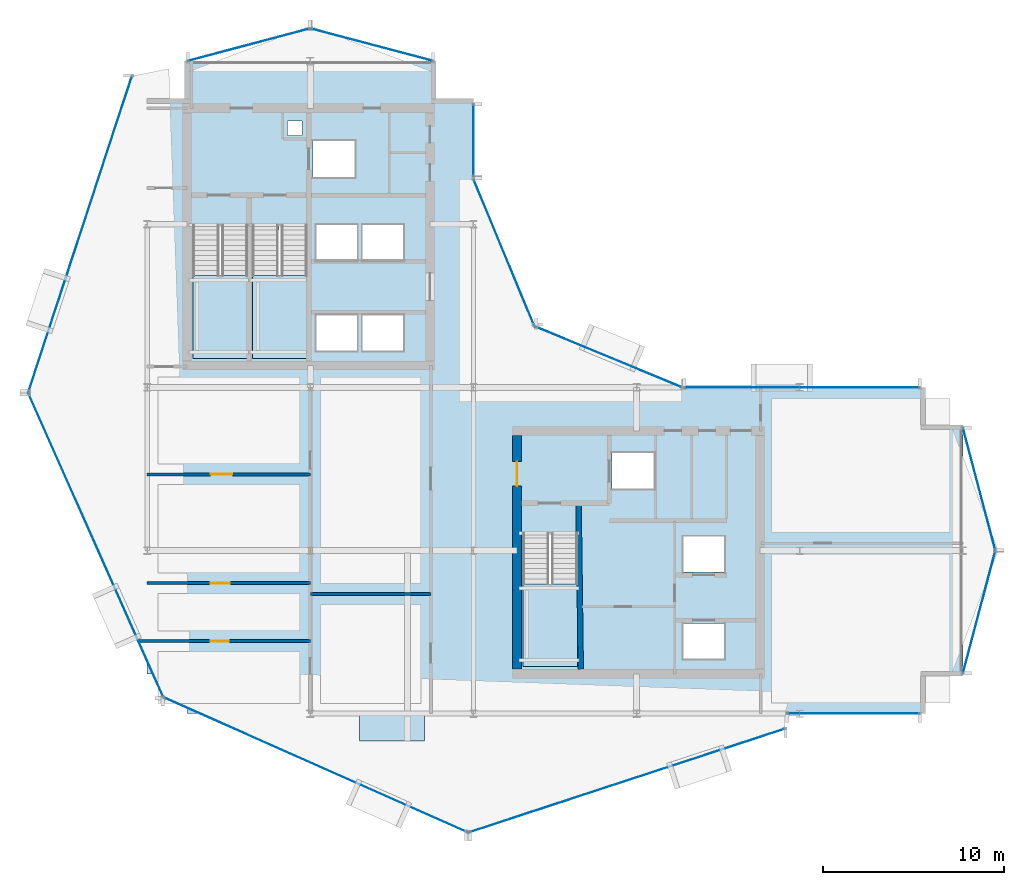
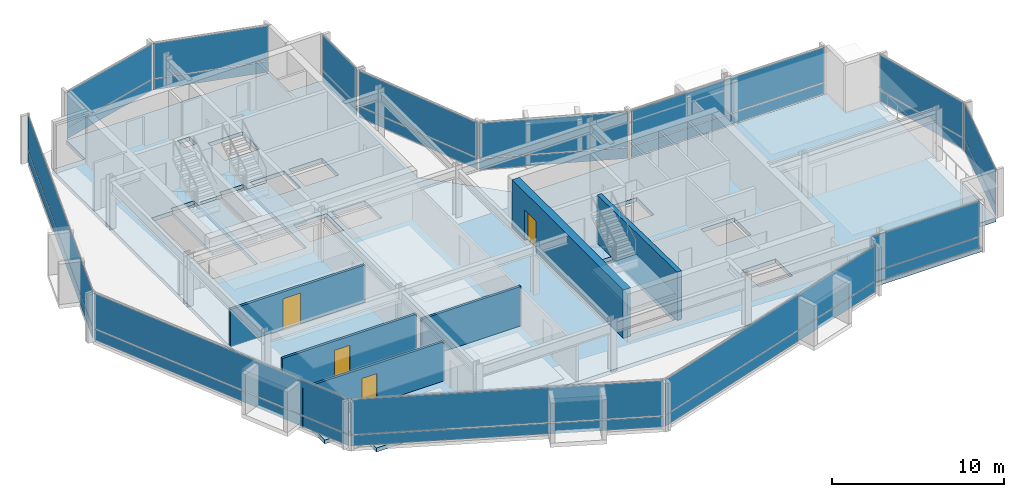
# One storey, part 19 of 27: 26 plates, 6 walls, 5 slabs, 4 doors, 4 openings, 16 elements without a shape of their own.
"""IFC4 building model written with IfcOpenShell, lengths in metres."""

from ifc_helpers import new_model, si_unit, direction, frame, frame_2d, origin, origin_2d, place, context, subcontext, project, spatial, polyline, rectangle, outline, extrude, material, layer, layer_set, type_object, element, fill, aggregate, save


model = new_model("IFC4")

# Units and contexts
model_context = context("Model", 3, precision=1e-05, world=origin(), true_north=direction((0.0, 1.0)))
body_context = subcontext(model_context, "Body", "Model", "MODEL_VIEW")
ifc_project = project(units=[si_unit("LENGTHUNIT", "METRE"), si_unit("AREAUNIT", "SQUARE_METRE"), si_unit("VOLUMEUNIT", "CUBIC_METRE"), si_unit("PLANEANGLEUNIT", "RADIAN"), si_unit("MASSUNIT", "GRAM", prefix="KILO")], contexts=[model_context])

# Site, building, storey
site_placement = place(None, origin())
site = spatial("IfcSite", under=ifc_project, at=site_placement, CompositionType="ELEMENT")
building_placement = place(site_placement, origin())
building = spatial("IfcBuilding", under=site, at=building_placement, Name="Solvaryn Broadcast Tower", CompositionType="ELEMENT")
storey_placement = place(building_placement, frame((0.0, 0.0, 185.300048828125)))
storey = spatial("IfcBuildingStorey", under=building, at=storey_placement, Name="L46", CompositionType="ELEMENT", Elevation=185.300048828125)

# Curtain wall, plates
ifc_material_1 = material(Name="Aluminium and Terracotta Unitised Curtain Wall", Category="masonry")
ifc_layer_1 = layer(ifc_material_1, 0.199951171875)
ifc_layer_set_1 = layer_set([ifc_layer_1], Name="CW-SYS2-LOWMID")
curtain_wall_type_1 = type_object("IfcCurtainWallType", Name="CW-SYS2-LOWMID", PredefinedType="NOTDEFINED", material=ifc_layer_set_1)
curtain_wall_1_placement = place(storey_placement, origin())
curtain_wall_1 = element("IfcCurtainWall", 1, at=curtain_wall_1_placement, inside=storey, type_object=curtain_wall_type_1, Name="L46 Curtain Wall DR1", PredefinedType="NOTDEFINED")
ifc_material_2 = material(Name="Kiln-Fired Architectural Terracotta Spandrel", Category="masonry")
ifc_layer_2 = layer(ifc_material_2, 0.048095703125)
ifc_layer_set_2 = layer_set([ifc_layer_2], Name="CW-PNL-TERRACOTTA")
plate_type = type_object("IfcPlateType", Name="CW-PNL-TERRACOTTA", PredefinedType="CURTAIN_PANEL", material=ifc_layer_set_2)
plate_1_placement = place(storey_placement, frame((5.298095703125, 35.444091796875, 0.06005859375), z_axis=(0.0, 0.0, 1.0), x_axis=(-0.311558717623, -0.950226902099, 0.0)))
plate_1 = element("IfcPlate", 2, at=plate_1_placement, type_object=plate_type, Name="CWS2 panel 1.1", PredefinedType="CURTAIN_PANEL", context=body_context, shape_type="SweptSolid", body=[
    extrude(rectangle(XDim=18.271484375, YDim=0.028076171875, at=origin_2d()), origin(), (0.0, 0.0, 1.0), 0.760009765625),
])
plate_2_placement = place(storey_placement, frame((5.298095703125, 35.444091796875, 0.8798828125), z_axis=(0.0, 0.0, 1.0), x_axis=(-0.311558717623, -0.950226902099, 0.0)))
plate_2 = element("IfcPlate", 3, at=plate_2_placement, type_object=plate_type, Name="CWS2 panel 1.2", PredefinedType="CURTAIN_PANEL", context=body_context, shape_type="SweptSolid", body=[
    extrude(rectangle(XDim=18.271484375, YDim=0.028076171875, at=origin_2d()), origin(), (0.0, 0.0, 1.0), 2.47998046875),
])
aggregate(curtain_wall_1, [plate_1, plate_2])

ifc_material_3 = material(Name="Aluminium and Terracotta Unitised Curtain Wall", Category="masonry")
ifc_layer_3 = layer(ifc_material_3, 0.239990234375)
ifc_layer_set_3 = layer_set([ifc_layer_3], Name="CW-SYS3-BAYBOX")
curtain_wall_type_2 = type_object("IfcCurtainWallType", Name="CW-SYS3-BAYBOX", PredefinedType="NOTDEFINED", material=ifc_layer_set_3)
curtain_wall_2_placement = place(storey_placement, origin())
curtain_wall_2 = element("IfcCurtainWall", 4, at=curtain_wall_2_placement, inside=storey, type_object=curtain_wall_type_2, Name="L46 Curtain Wall DR2", PredefinedType="NOTDEFINED")
plate_3_placement = place(storey_placement, frame((6.16552734375, 18.302001953125, 0.06005859375), z_axis=(0.0, 0.0, 1.0), x_axis=(0.405901337237, -0.913916902365, 0.0)))
plate_3 = element("IfcPlate", 5, at=plate_3_placement, type_object=plate_type, Name="CWS3 panel 1.1", PredefinedType="CURTAIN_PANEL", context=body_context, shape_type="SweptSolid", body=[
    extrude(rectangle(XDim=18.271240234375, YDim=0.028076171875, at=origin_2d()), origin(), (0.0, 0.0, 1.0), 0.760009765625),
])
plate_4_placement = place(storey_placement, frame((6.16552734375, 18.302001953125, 0.8798828125), z_axis=(0.0, 0.0, 1.0), x_axis=(0.405901337237, -0.913916902365, 0.0)))
plate_4 = element("IfcPlate", 6, at=plate_4_placement, type_object=plate_type, Name="CWS3 panel 1.2", PredefinedType="CURTAIN_PANEL", context=body_context, shape_type="SweptSolid", body=[
    extrude(rectangle(XDim=18.271240234375, YDim=0.028076171875, at=origin_2d()), origin(), (0.0, 0.0, 1.0), 2.47998046875),
])
aggregate(curtain_wall_2, [plate_3, plate_4])

curtain_wall_3_placement = place(storey_placement, origin())
curtain_wall_3 = element("IfcCurtainWall", 7, at=curtain_wall_3_placement, inside=storey, type_object=curtain_wall_type_1, Name="L46 Curtain Wall DR3", PredefinedType="NOTDEFINED")
plate_5_placement = place(storey_placement, frame((18.302001953125, 6.16552734375, 0.06005859375), z_axis=(0.0, 0.0, 1.0), x_axis=(0.913916902365, -0.405901337237, 0.0)))
plate_5 = element("IfcPlate", 8, at=plate_5_placement, type_object=plate_type, Name="CWS2 panel 1.1", PredefinedType="CURTAIN_PANEL", context=body_context, shape_type="SweptSolid", body=[
    extrude(rectangle(XDim=18.271240234375, YDim=0.028076171875, at=origin_2d()), origin(), (0.0, 0.0, 1.0), 0.760009765625),
])
plate_6_placement = place(storey_placement, frame((18.302001953125, 6.16552734375, 0.8798828125), z_axis=(0.0, 0.0, 1.0), x_axis=(0.913916902365, -0.405901337237, 0.0)))
plate_6 = element("IfcPlate", 9, at=plate_6_placement, type_object=plate_type, Name="CWS2 panel 1.2", PredefinedType="CURTAIN_PANEL", context=body_context, shape_type="SweptSolid", body=[
    extrude(rectangle(XDim=18.271240234375, YDim=0.028076171875, at=origin_2d()), origin(), (0.0, 0.0, 1.0), 2.47998046875),
])
aggregate(curtain_wall_3, [plate_5, plate_6])

curtain_wall_4_placement = place(storey_placement, origin())
curtain_wall_4 = element("IfcCurtainWall", 10, at=curtain_wall_4_placement, inside=storey, type_object=curtain_wall_type_1, Name="L46 Curtain Wall DR4", PredefinedType="NOTDEFINED")
plate_7_placement = place(storey_placement, frame((35.444091796875, 5.298095703125, 0.06005859375), z_axis=(0.0, 0.0, 1.0), x_axis=(0.950226902099, 0.311558717623, 0.0)))
plate_7 = element("IfcPlate", 11, at=plate_7_placement, type_object=plate_type, Name="CWS2 panel 1.1", PredefinedType="CURTAIN_PANEL", context=body_context, shape_type="SweptSolid", body=[
    extrude(rectangle(XDim=18.271484375, YDim=0.028076171875, at=origin_2d()), origin(), (0.0, 0.0, 1.0), 0.760009765625),
])
plate_8_placement = place(storey_placement, frame((35.444091796875, 5.298095703125, 0.8798828125), z_axis=(0.0, 0.0, 1.0), x_axis=(0.950226902099, 0.311558717623, 0.0)))
plate_8 = element("IfcPlate", 12, at=plate_8_placement, type_object=plate_type, Name="CWS2 panel 1.2", PredefinedType="CURTAIN_PANEL", context=body_context, shape_type="SweptSolid", body=[
    extrude(rectangle(XDim=18.271484375, YDim=0.028076171875, at=origin_2d()), origin(), (0.0, 0.0, 1.0), 2.47998046875),
])
aggregate(curtain_wall_4, [plate_7, plate_8])

curtain_wall_5_placement = place(storey_placement, origin())
curtain_wall_5 = element("IfcCurtainWall", 13, at=curtain_wall_5_placement, inside=storey, type_object=curtain_wall_type_1, Name="L46 Curtain Wall IV", PredefinedType="NOTDEFINED")
plate_9_placement = place(storey_placement, frame((27.0, 40.625, 0.06005859375), z_axis=(0.0, 0.0, 1.0), x_axis=(0.0, -1.0, 0.0)))
plate_9 = element("IfcPlate", 14, at=plate_9_placement, type_object=plate_type, Name="CWS2 panel 1.1", PredefinedType="CURTAIN_PANEL", context=body_context, shape_type="SweptSolid", body=[
    extrude(rectangle(XDim=3.929931640625, YDim=0.028076171875, at=origin_2d()), origin(), (0.0, 0.0, 1.0), 0.760009765625),
])
plate_10_placement = place(storey_placement, frame((27.0, 40.625, 0.8798828125), z_axis=(0.0, 0.0, 1.0), x_axis=(0.0, -1.0, 0.0)))
plate_10 = element("IfcPlate", 15, at=plate_10_placement, type_object=plate_type, Name="CWS2 panel 1.2", PredefinedType="CURTAIN_PANEL", context=body_context, shape_type="SweptSolid", body=[
    extrude(rectangle(XDim=3.929931640625, YDim=0.028076171875, at=origin_2d()), origin(), (0.0, 0.0, 1.0), 2.47998046875),
])
aggregate(curtain_wall_5, [plate_9, plate_10])

curtain_wall_6_placement = place(storey_placement, origin())
curtain_wall_6 = element("IfcCurtainWall", 16, at=curtain_wall_6_placement, inside=storey, type_object=curtain_wall_type_1, Name="L46 Curtain Wall CN1", PredefinedType="NOTDEFINED")
plate_11_placement = place(storey_placement, frame((34.43408203125, 28.68408203125, 0.06005859375), z_axis=(0.0, 0.0, 1.0), x_axis=(-0.923894983957, 0.382646127145, 0.0)))
plate_11 = element("IfcPlate", 17, at=plate_11_placement, type_object=plate_type, Name="CWS2 panel 1.1", PredefinedType="CURTAIN_PANEL", context=body_context, shape_type="SweptSolid", body=[
    extrude(rectangle(XDim=8.681884765625, YDim=0.028076171875, at=origin_2d()), origin(), (0.0, 0.0, 1.0), 0.760009765625),
])
plate_12_placement = place(storey_placement, frame((34.43408203125, 28.68408203125, 0.8798828125), z_axis=(0.0, 0.0, 1.0), x_axis=(-0.923894983957, 0.382646127145, 0.0)))
plate_12 = element("IfcPlate", 18, at=plate_12_placement, type_object=plate_type, Name="CWS2 panel 1.2", PredefinedType="CURTAIN_PANEL", context=body_context, shape_type="SweptSolid", body=[
    extrude(rectangle(XDim=8.681884765625, YDim=0.028076171875, at=origin_2d()), origin(), (0.0, 0.0, 1.0), 2.47998046875),
])
aggregate(curtain_wall_6, [plate_11, plate_12])

curtain_wall_7_placement = place(storey_placement, origin())
curtain_wall_7 = element("IfcCurtainWall", 19, at=curtain_wall_7_placement, inside=storey, type_object=curtain_wall_type_1, Name="L46 Curtain Wall CN2", PredefinedType="NOTDEFINED")
plate_13_placement = place(storey_placement, frame((28.68408203125, 34.43408203125, 0.06005859375), z_axis=(0.0, 0.0, 1.0), x_axis=(-0.382646127145, 0.923894983957, 0.0)))
plate_13 = element("IfcPlate", 20, at=plate_13_placement, type_object=plate_type, Name="CWS2 panel 1.1", PredefinedType="CURTAIN_PANEL", context=body_context, shape_type="SweptSolid", body=[
    extrude(rectangle(XDim=8.681884765625, YDim=0.028076171875, at=origin_2d()), origin(), (0.0, 0.0, 1.0), 0.760009765625),
])
plate_14_placement = place(storey_placement, frame((28.68408203125, 34.43408203125, 0.8798828125), z_axis=(0.0, 0.0, 1.0), x_axis=(-0.382646127145, 0.923894983957, 0.0)))
plate_14 = element("IfcPlate", 21, at=plate_14_placement, type_object=plate_type, Name="CWS2 panel 1.2", PredefinedType="CURTAIN_PANEL", context=body_context, shape_type="SweptSolid", body=[
    extrude(rectangle(XDim=8.681884765625, YDim=0.028076171875, at=origin_2d()), origin(), (0.0, 0.0, 1.0), 2.47998046875),
])
aggregate(curtain_wall_7, [plate_13, plate_14])

curtain_wall_8_placement = place(storey_placement, origin())
curtain_wall_8 = element("IfcCurtainWall", 22, at=curtain_wall_8_placement, inside=storey, type_object=curtain_wall_type_1, Name="L46 Curtain Wall S2", PredefinedType="NOTDEFINED")
plate_15_placement = place(storey_placement, frame((47.966064453125, 9.0, 0.06005859375), z_axis=(0.0, 0.0, 1.0), x_axis=(1.0, 0.0, 0.0)))
plate_15 = element("IfcPlate", 23, at=plate_15_placement, type_object=plate_type, Name="CWS2 panel 1.1", PredefinedType="CURTAIN_PANEL", context=body_context, shape_type="SweptSolid", body=[
    extrude(rectangle(XDim=7.248046875, YDim=0.028076171875, at=origin_2d()), origin(), (0.0, 0.0, 1.0), 0.760009765625),
])
plate_16_placement = place(storey_placement, frame((47.966064453125, 9.0, 0.8798828125), z_axis=(0.0, 0.0, 1.0), x_axis=(1.0, 0.0, 0.0)))
plate_16 = element("IfcPlate", 24, at=plate_16_placement, type_object=plate_type, Name="CWS2 panel 1.2", PredefinedType="CURTAIN_PANEL", context=body_context, shape_type="SweptSolid", body=[
    extrude(rectangle(XDim=7.248046875, YDim=0.028076171875, at=origin_2d()), origin(), (0.0, 0.0, 1.0), 2.47998046875),
])
aggregate(curtain_wall_8, [plate_15, plate_16])

curtain_wall_9_placement = place(storey_placement, origin())
curtain_wall_9 = element("IfcCurtainWall", 25, at=curtain_wall_9_placement, inside=storey, type_object=curtain_wall_type_1, Name="L46 Curtain Wall NT1", PredefinedType="NOTDEFINED")
plate_17_placement = place(storey_placement, frame((21.39990234375, 45.89990234375, 0.06005859375), z_axis=(0.0, 0.0, 1.0), x_axis=(-0.966705227863, 0.25589256031, 0.0)))
plate_17 = element("IfcPlate", 26, at=plate_17_placement, type_object=plate_type, Name="CWS2 panel 1.1", PredefinedType="CURTAIN_PANEL", context=body_context, shape_type="SweptSolid", body=[
    extrude(rectangle(XDim=6.914306640625, YDim=0.028076171875, at=origin_2d()), origin(), (0.0, 0.0, 1.0), 0.760009765625),
])
plate_18_placement = place(storey_placement, frame((21.39990234375, 45.89990234375, 0.8798828125), z_axis=(0.0, 0.0, 1.0), x_axis=(-0.966705227863, 0.25589256031, 0.0)))
plate_18 = element("IfcPlate", 27, at=plate_18_placement, type_object=plate_type, Name="CWS2 panel 1.2", PredefinedType="CURTAIN_PANEL", context=body_context, shape_type="SweptSolid", body=[
    extrude(rectangle(XDim=6.914306640625, YDim=0.028076171875, at=origin_2d()), origin(), (0.0, 0.0, 1.0), 2.47998046875),
])
aggregate(curtain_wall_9, [plate_17, plate_18])

curtain_wall_10_placement = place(storey_placement, origin())
curtain_wall_10 = element("IfcCurtainWall", 28, at=curtain_wall_10_placement, inside=storey, type_object=curtain_wall_type_1, Name="L46 Curtain Wall NT2", PredefinedType="NOTDEFINED")
plate_19_placement = place(storey_placement, frame((14.60009765625, 45.89990234375, 0.06005859375), z_axis=(0.0, 0.0, 1.0), x_axis=(-0.966705227863, -0.25589256031, 0.0)))
plate_19 = element("IfcPlate", 29, at=plate_19_placement, type_object=plate_type, Name="CWS2 panel 1.1", PredefinedType="CURTAIN_PANEL", context=body_context, shape_type="SweptSolid", body=[
    extrude(rectangle(XDim=6.914306640625, YDim=0.028076171875, at=origin_2d()), origin(), (0.0, 0.0, 1.0), 0.760009765625),
])
plate_20_placement = place(storey_placement, frame((14.60009765625, 45.89990234375, 0.8798828125), z_axis=(0.0, 0.0, 1.0), x_axis=(-0.966705227863, -0.25589256031, 0.0)))
plate_20 = element("IfcPlate", 30, at=plate_20_placement, type_object=plate_type, Name="CWS2 panel 1.2", PredefinedType="CURTAIN_PANEL", context=body_context, shape_type="SweptSolid", body=[
    extrude(rectangle(XDim=6.914306640625, YDim=0.028076171875, at=origin_2d()), origin(), (0.0, 0.0, 1.0), 2.47998046875),
])
aggregate(curtain_wall_10, [plate_19, plate_20])

curtain_wall_11_placement = place(storey_placement, origin())
curtain_wall_11 = element("IfcCurtainWall", 31, at=curtain_wall_11_placement, inside=storey, type_object=curtain_wall_type_1, Name="L46 Curtain Wall ET1", PredefinedType="NOTDEFINED")
plate_21_placement = place(storey_placement, frame((54.89990234375, 21.39990234375, 0.06005859375), z_axis=(0.0, 0.0, 1.0), x_axis=(0.25589256031, -0.966705227863, 0.0)))
plate_21 = element("IfcPlate", 32, at=plate_21_placement, type_object=plate_type, Name="CWS2 panel 1.1", PredefinedType="CURTAIN_PANEL", context=body_context, shape_type="SweptSolid", body=[
    extrude(rectangle(XDim=6.914306640625, YDim=0.028076171875, at=origin_2d()), origin(), (0.0, 0.0, 1.0), 0.760009765625),
])
plate_22_placement = place(storey_placement, frame((54.89990234375, 21.39990234375, 0.8798828125), z_axis=(0.0, 0.0, 1.0), x_axis=(0.25589256031, -0.966705227863, 0.0)))
plate_22 = element("IfcPlate", 33, at=plate_22_placement, type_object=plate_type, Name="CWS2 panel 1.2", PredefinedType="CURTAIN_PANEL", context=body_context, shape_type="SweptSolid", body=[
    extrude(rectangle(XDim=6.914306640625, YDim=0.028076171875, at=origin_2d()), origin(), (0.0, 0.0, 1.0), 2.47998046875),
])
aggregate(curtain_wall_11, [plate_21, plate_22])

curtain_wall_12_placement = place(storey_placement, origin())
curtain_wall_12 = element("IfcCurtainWall", 34, at=curtain_wall_12_placement, inside=storey, type_object=curtain_wall_type_1, Name="L46 Curtain Wall ET2", PredefinedType="NOTDEFINED")
plate_23_placement = place(storey_placement, frame((54.89990234375, 14.60009765625, 0.06005859375), z_axis=(0.0, 0.0, 1.0), x_axis=(-0.25589256031, -0.966705227863, 0.0)))
plate_23 = element("IfcPlate", 35, at=plate_23_placement, type_object=plate_type, Name="CWS2 panel 1.1", PredefinedType="CURTAIN_PANEL", context=body_context, shape_type="SweptSolid", body=[
    extrude(rectangle(XDim=6.914306640625, YDim=0.028076171875, at=origin_2d()), origin(), (0.0, 0.0, 1.0), 0.760009765625),
])
plate_24_placement = place(storey_placement, frame((54.89990234375, 14.60009765625, 0.8798828125), z_axis=(0.0, 0.0, 1.0), x_axis=(-0.25589256031, -0.966705227863, 0.0)))
plate_24 = element("IfcPlate", 36, at=plate_24_placement, type_object=plate_type, Name="CWS2 panel 1.2", PredefinedType="CURTAIN_PANEL", context=body_context, shape_type="SweptSolid", body=[
    extrude(rectangle(XDim=6.914306640625, YDim=0.028076171875, at=origin_2d()), origin(), (0.0, 0.0, 1.0), 2.47998046875),
])
aggregate(curtain_wall_12, [plate_23, plate_24])

curtain_wall_13_placement = place(storey_placement, origin())
curtain_wall_13 = element("IfcCurtainWall", 37, at=curtain_wall_13_placement, inside=storey, type_object=curtain_wall_type_1, Name="L46 Curtain Wall IH", PredefinedType="NOTDEFINED")
plate_25_placement = place(storey_placement, frame((45.125, 27.0, 0.06005859375), z_axis=(0.0, 0.0, 1.0), x_axis=(1.0, 0.0, 0.0)))
plate_25 = element("IfcPlate", 38, at=plate_25_placement, type_object=plate_type, Name="CWS2 panel 1.1", PredefinedType="CURTAIN_PANEL", context=body_context, shape_type="SweptSolid", body=[
    extrude(rectangle(XDim=12.929931640625, YDim=0.028076171875, at=origin_2d()), origin(), (0.0, 0.0, 1.0), 0.760009765625),
])
plate_26_placement = place(storey_placement, frame((45.125, 27.0, 0.8798828125), z_axis=(0.0, 0.0, 1.0), x_axis=(1.0, 0.0, 0.0)))
plate_26 = element("IfcPlate", 39, at=plate_26_placement, type_object=plate_type, Name="CWS2 panel 1.2", PredefinedType="CURTAIN_PANEL", context=body_context, shape_type="SweptSolid", body=[
    extrude(rectangle(XDim=12.929931640625, YDim=0.028076171875, at=origin_2d()), origin(), (0.0, 0.0, 1.0), 2.47998046875),
])
aggregate(curtain_wall_13, [plate_25, plate_26])

# Slab
ifc_material_4 = material(Name="Concrete f'c 60 MPa", Category="concrete")
ifc_layer_4 = layer(ifc_material_4, 0.2099609375)
ifc_layer_set_4 = layer_set([ifc_layer_4], Name="SL-BAYBOX-210")
slab_type_1 = type_object("IfcSlabType", Name="SL-BAYBOX-210", PredefinedType="FLOOR", material=ifc_layer_set_4)
slab_1_placement = place(storey_placement, frame((0.0, 0.0, -0.2099609375)))
element("IfcSlab", 40, at=slab_1_placement, inside=storey, type_object=slab_type_1, Name="L46 Projecting Bay-Box Slab 1", PredefinedType="FLOOR", context=body_context, shape_type="SweptSolid", body=[
    extrude(outline(polyline([(20.699951171875, 7.5), (24.300048828125, 7.5), (24.300048828125, 9.0), (20.699951171875, 9.0), (20.699951171875, 7.5)])), origin(), (0.0, 0.0, 1.0), 0.2099609375),
])

# Stair, slab
ifc_material_5 = material(Name="Concrete f'c 60 MPa", Category="concrete")
stair_type = type_object("IfcStairType", Name="ST-CORE", PredefinedType="HALF_TURN_STAIR", material=ifc_material_5)
stair_1_placement = place(storey_placement, origin())
stair_1 = element("IfcStair", 41, at=stair_1_placement, inside=storey, type_object=stair_type, Name="L46 ST1", PredefinedType="HALF_TURN_STAIR")
ifc_material_6 = material(Name="Concrete f'c 60 MPa", Category="concrete")
ifc_layer_5 = layer(ifc_material_6, 0.199951171875)
ifc_layer_set_5 = layer_set([ifc_layer_5], Name="SL-LANDING-200")
slab_type_2 = type_object("IfcSlabType", Name="SL-LANDING-200", PredefinedType="LANDING", material=ifc_layer_set_5)
slab_2_placement = place(storey_placement, frame((0.0, 0.0, 1.64990234375)))
slab_2 = element("IfcSlab", 42, at=slab_2_placement, type_object=slab_type_2, Name="ST1 landing 1", PredefinedType="LANDING", context=body_context, shape_type="SweptSolid", body=[
    extrude(outline(polyline([(11.52001953125, 33.159912109375), (11.52001953125, 28.60009765625), (14.550048828125, 28.60009765625), (14.550048828125, 33.159912109375), (11.52001953125, 33.159912109375)])), origin(), (0.0, 0.0, 1.0), 0.199951171875),
])
aggregate(stair_1, [slab_2])

stair_2_placement = place(storey_placement, origin())
stair_2 = element("IfcStair", 43, at=stair_2_placement, inside=storey, type_object=stair_type, Name="L46 ST2", PredefinedType="HALF_TURN_STAIR")
slab_3_placement = place(storey_placement, frame((0.0, 0.0, 1.64990234375)))
slab_3 = element("IfcSlab", 44, at=slab_3_placement, type_object=slab_type_2, Name="ST2 landing 1", PredefinedType="LANDING", context=body_context, shape_type="SweptSolid", body=[
    extrude(outline(polyline([(14.800048828125, 33.159912109375), (14.800048828125, 28.60009765625), (17.830078125, 28.60009765625), (17.830078125, 33.159912109375), (14.800048828125, 33.159912109375)])), origin(), (0.0, 0.0, 1.0), 0.199951171875),
])
aggregate(stair_2, [slab_3])

stair_3_placement = place(storey_placement, origin())
stair_3 = element("IfcStair", 45, at=stair_3_placement, inside=storey, type_object=stair_type, Name="L46 ST3", PredefinedType="HALF_TURN_STAIR")
slab_4_placement = place(storey_placement, frame((0.0, 0.0, 1.64990234375)))
slab_4 = element("IfcSlab", 46, at=slab_4_placement, type_object=slab_type_2, Name="ST3 landing 1", PredefinedType="LANDING", context=body_context, shape_type="SweptSolid", body=[
    extrude(outline(polyline([(29.719970703125, 16.159912109375), (29.719970703125, 11.60009765625), (32.75, 11.60009765625), (32.75, 16.159912109375), (29.719970703125, 16.159912109375)])), origin(), (0.0, 0.0, 1.0), 0.199951171875),
])
aggregate(stair_3, [slab_4])

# Slab
ifc_material_7 = material(Name="Concrete f'c 60 MPa", Category="concrete")
ifc_layer_6 = layer(ifc_material_7, 0.280029296875)
ifc_layer_set_6 = layer_set([ifc_layer_6], Name="SL-TWR-280")
slab_type_3 = type_object("IfcSlabType", Name="SL-TWR-280", PredefinedType="FLOOR", material=ifc_layer_set_6)
slab_5_placement = place(storey_placement, frame((0.0, 0.0, -0.280029296875)))
element("IfcSlab", 47, at=slab_5_placement, inside=storey, type_object=slab_type_3, Name="L46 Structural Floor Slab", PredefinedType="FLOOR", context=body_context, shape_type="SweptSolid", body=[
    extrude(outline(polyline([(11.199951171875, 9.0), (51.800048828125, 9.0), (51.800048828125, 11.199951171875), (54.0, 11.199951171875), (54.0, 24.800048828125), (51.800048828125, 24.800048828125), (51.800048828125, 27.0), (31.5, 27.0), (27.0, 31.5), (27.0, 42.800048828125), (24.800048828125, 42.800048828125), (24.800048828125, 45.0), (11.199951171875, 45.0), (11.199951171875, 42.800048828125), (9.0, 42.800048828125), (9.0, 11.199951171875), (11.199951171875, 11.199951171875), (11.199951171875, 9.0)]), holes=[polyline([(11.52001953125, 28.60009765625), (14.550048828125, 28.60009765625), (14.550048828125, 35.9599609375), (12.97998046875, 35.9599609375), (12.97998046875, 35.679931640625), (11.52001953125, 35.679931640625), (11.52001953125, 28.60009765625)]), polyline([(14.800048828125, 28.60009765625), (17.830078125, 28.60009765625), (17.830078125, 35.9599609375), (16.260009765625, 35.9599609375), (16.260009765625, 35.679931640625), (14.800048828125, 35.679931640625), (14.800048828125, 28.60009765625)]), polyline([(29.719970703125, 11.60009765625), (32.75, 11.60009765625), (32.75, 18.9599609375), (31.179931640625, 18.9599609375), (31.179931640625, 18.679931640625), (29.719970703125, 18.679931640625), (29.719970703125, 11.60009765625)]), polyline([(18.14990234375, 38.60009765625), (20.449951171875, 38.60009765625), (20.449951171875, 40.60009765625), (18.14990234375, 40.60009765625), (18.14990234375, 38.60009765625)]), polyline([(18.324951171875, 29.02490234375), (20.574951171875, 29.02490234375), (20.574951171875, 30.97509765625), (18.324951171875, 30.97509765625), (18.324951171875, 29.02490234375)]), polyline([(20.875, 29.02490234375), (23.125, 29.02490234375), (23.125, 30.97509765625), (20.875, 30.97509765625), (20.875, 29.02490234375)]), polyline([(18.324951171875, 34.02490234375), (20.574951171875, 34.02490234375), (20.574951171875, 35.97509765625), (18.324951171875, 35.97509765625), (18.324951171875, 34.02490234375)]), polyline([(20.875, 34.02490234375), (23.125, 34.02490234375), (23.125, 35.97509765625), (20.875, 35.97509765625), (20.875, 34.02490234375)]), polyline([(34.64990234375, 21.39990234375), (36.949951171875, 21.39990234375), (36.949951171875, 23.39990234375), (34.64990234375, 23.39990234375), (34.64990234375, 21.39990234375)]), polyline([(38.574951171875, 12.02490234375), (40.824951171875, 12.02490234375), (40.824951171875, 13.97509765625), (38.574951171875, 13.97509765625), (38.574951171875, 12.02490234375)]), polyline([(38.574951171875, 16.824951171875), (40.824951171875, 16.824951171875), (40.824951171875, 18.77490234375), (38.574951171875, 18.77490234375), (38.574951171875, 16.824951171875)]), polyline([(16.75, 40.89990234375), (17.550048828125, 40.89990234375), (17.550048828125, 41.699951171875), (16.75, 41.699951171875), (16.75, 40.89990234375)])]), origin(), (0.0, 0.0, 1.0), 0.280029296875),
])

# Wall, opening, door
ifc_material_8 = material(Name="Concrete f'c 70 MPa", Category="concrete")
ifc_layer_7 = layer(ifc_material_8, 0.5)
ifc_layer_set_7 = layer_set([ifc_layer_7], Name="CW-SHEAR-500")
wall_type_1 = type_object("IfcWallType", Name="CW-SHEAR-500", PredefinedType="SHEAR", material=ifc_layer_set_7)
wall_1_placement = place(storey_placement, frame((29.39990234375, 24.35009765625, 0.0), z_axis=(0.0, 0.0, 1.0), x_axis=(0.0, -1.0, 0.0)))
wall_1 = element("IfcWall", 48, at=wall_1_placement, inside=storey, type_object=wall_type_1, Name="L46 East Core West Shear Wall", PredefinedType="SHEAR", context=body_context, shape_type="SweptSolid", body=[
    extrude(rectangle(XDim=12.900146484375, YDim=0.5, at=frame_2d((6.4501953125, 0.0))), origin(), (0.0, 0.0, 1.0), 3.419921875),
])
opening_1_placement = place(wall_1_placement, frame((1.449951171875, 0.0, 0.0)))
opening_1 = element("IfcOpeningElement", 49, at=opening_1_placement, cuts=wall_1, Name="Opening FD90B", PredefinedType="OPENING", context=body_context, shape_type="SweptSolid", body=[
    extrude(rectangle(XDim=1.35009765625, YDim=2.14990234375, at=frame_2d((0.675048828125, 1.074951171875))), frame((0.0, 0.260009765625, 0.0), z_axis=(0.0, -1.0, 0.0), x_axis=(1.0, 0.0, 0.0)), (0.0, 0.0, 1.0), 0.52001953125),
])
ifc_material_9 = material(Name="Flush Acoustic Steel and Timber Door Assembly", Category="steel")
door_type_1 = type_object("IfcDoorType", Name="FD90-LOBBY-1350X2150", OperationType="NOTDEFINED", PredefinedType="DOOR", material=ifc_material_9)
door_1_placement = place(opening_1_placement, origin())
door_1 = element("IfcDoor", 50, at=door_1_placement, inside=storey, type_object=door_type_1, Name="L46 East FSAE Lobby Door", OperationType="SINGLE_SWING_RIGHT", OverallHeight=2.14990234375, OverallWidth=1.35009765625, PredefinedType="DOOR", context=body_context, shape_type="SweptSolid", body=[
    extrude(rectangle(XDim=1.35009765625, YDim=2.14990234375, at=frame_2d((0.675048828125, 1.074951171875))), frame((0.0, 0.02490234375, 0.0), z_axis=(0.0, -1.0, 0.0), x_axis=(1.0, 0.0, 0.0)), (0.0, 0.0, 1.0), 0.050048828125),
])
fill(opening_1, door_1)

# Wall
ifc_material_10 = material(Name="Metal-Stud Gypsum Office Partition")
ifc_layer_8 = layer(ifc_material_10, 0.159912109375)
ifc_layer_set_8 = layer_set([ifc_layer_8], Name="IW-PART-160")
wall_type_2 = type_object("IfcWallType", Name="IW-PART-160", PredefinedType="PARTITIONING", material=ifc_layer_set_8)
wall_2_placement = place(storey_placement, frame((18.0, 15.60009765625, 0.0), z_axis=(0.0, 0.0, 1.0), x_axis=(1.0, 0.0, 0.0)))
element("IfcWall", 51, at=wall_2_placement, inside=storey, type_object=wall_type_2, Name="L46 Interior Partition IW-L46-SWE-H1", PredefinedType="PARTITIONING", context=body_context, shape_type="SweptSolid", body=[
    extrude(rectangle(XDim=6.64990234375, YDim=0.159912109375, at=frame_2d((3.324951171875, 0.0))), origin(), (0.0, 0.0, 1.0), 2.7919921875),
])

# Wall, opening, door
wall_3_placement = place(storey_placement, frame((8.52001953125, 13.0, 0.0), z_axis=(0.0, 0.0, 1.0), x_axis=(1.0, 0.0, 0.0)))
wall_3 = element("IfcWall", 52, at=wall_3_placement, inside=storey, type_object=wall_type_2, Name="L46 Interior Partition IW-L46-SWW-H1", PredefinedType="PARTITIONING", context=body_context, shape_type="SweptSolid", body=[
    extrude(rectangle(XDim=9.47998046875, YDim=0.159912109375, at=frame_2d((4.739990234375, 0.0))), origin(), (0.0, 0.0, 1.0), 2.7919921875),
])
opening_2_placement = place(wall_3_placement, frame((3.97998046875, 0.0, 0.0)))
opening_2 = element("IfcOpeningElement", 53, at=opening_2_placement, cuts=wall_3, Name="Opening ID02", PredefinedType="OPENING", context=body_context, shape_type="SweptSolid", body=[
    extrude(rectangle(XDim=1.0, YDim=2.10009765625, at=frame_2d((0.5, 1.050048828125))), frame((0.0, 0.090087890625, 0.0), z_axis=(0.0, -1.0, 0.0), x_axis=(1.0, 0.0, 0.0)), (0.0, 0.0, 1.0), 0.179931640625),
])
ifc_material_11 = material(Name="Flush Acoustic Steel and Timber Door Assembly", Category="steel")
door_type_2 = type_object("IfcDoorType", Name="ID-02-1000X2100", OperationType="NOTDEFINED", PredefinedType="DOOR", material=ifc_material_11)
door_2_placement = place(opening_2_placement, origin())
door_2 = element("IfcDoor", 54, at=door_2_placement, inside=storey, type_object=door_type_2, Name="L46 Door DR-L46-SWW-1", OperationType="SINGLE_SWING_LEFT", OverallHeight=2.10009765625, OverallWidth=1.0, PredefinedType="DOOR", context=body_context, shape_type="SweptSolid", body=[
    extrude(rectangle(XDim=1.0, YDim=2.10009765625, at=frame_2d((0.5, 1.050048828125))), frame((0.0, 0.02490234375, 0.0), z_axis=(0.0, -1.0, 0.0), x_axis=(1.0, 0.0, 0.0)), (0.0, 0.0, 1.0), 0.050048828125),
])
fill(opening_2, door_2)

wall_4_placement = place(storey_placement, frame((9.0, 16.199951171875, 0.0), z_axis=(0.0, 0.0, 1.0), x_axis=(1.0, 0.0, 0.0)))
wall_4 = element("IfcWall", 55, at=wall_4_placement, inside=storey, type_object=wall_type_2, Name="L46 Interior Partition IW-L46-SWW-H2", PredefinedType="PARTITIONING", context=body_context, shape_type="SweptSolid", body=[
    extrude(rectangle(XDim=9.0, YDim=0.159912109375, at=frame_2d((4.5, 0.0))), origin(), (0.0, 0.0, 1.0), 2.7919921875),
])
opening_3_placement = place(wall_4_placement, frame((3.5, 0.0, 0.0)))
opening_3 = element("IfcOpeningElement", 56, at=opening_3_placement, cuts=wall_4, Name="Opening ID03", PredefinedType="OPENING", context=body_context, shape_type="SweptSolid", body=[
    extrude(rectangle(XDim=1.050048828125, YDim=2.14990234375, at=frame_2d((0.52490234375, 1.074951171875))), frame((0.0, 0.090087890625, 0.0), z_axis=(0.0, -1.0, 0.0), x_axis=(1.0, 0.0, 0.0)), (0.0, 0.0, 1.0), 0.179931640625),
])
ifc_material_12 = material(Name="Flush Acoustic Steel and Timber Door Assembly", Category="steel")
door_type_3 = type_object("IfcDoorType", Name="ID-03-1050X2150", OperationType="NOTDEFINED", PredefinedType="DOOR", material=ifc_material_12)
door_3_placement = place(opening_3_placement, origin())
door_3 = element("IfcDoor", 57, at=door_3_placement, inside=storey, type_object=door_type_3, Name="L46 Door DR-L46-SWW-2", OperationType="SINGLE_SWING_RIGHT", OverallHeight=2.14990234375, OverallWidth=1.050048828125, PredefinedType="DOOR", context=body_context, shape_type="SweptSolid", body=[
    extrude(rectangle(XDim=1.050048828125, YDim=2.14990234375, at=frame_2d((0.52490234375, 1.074951171875))), frame((0.0, 0.02490234375, 0.0), z_axis=(0.0, -1.0, 0.0), x_axis=(1.0, 0.0, 0.0)), (0.0, 0.0, 1.0), 0.050048828125),
])
fill(opening_3, door_3)

wall_5_placement = place(storey_placement, frame((9.0, 22.199951171875, 0.0), z_axis=(0.0, 0.0, 1.0), x_axis=(1.0, 0.0, 0.0)))
wall_5 = element("IfcWall", 58, at=wall_5_placement, inside=storey, type_object=wall_type_2, Name="L46 Interior Partition IW-L46-SWW-H3", PredefinedType="PARTITIONING", context=body_context, shape_type="SweptSolid", body=[
    extrude(rectangle(XDim=9.0, YDim=0.159912109375, at=frame_2d((4.5, 0.0))), origin(), (0.0, 0.0, 1.0), 2.634033203125),
])
opening_4_placement = place(wall_5_placement, frame((3.5, 0.0, 0.0)))
opening_4 = element("IfcOpeningElement", 59, at=opening_4_placement, cuts=wall_5, Name="Opening ID04", PredefinedType="OPENING", context=body_context, shape_type="SweptSolid", body=[
    extrude(rectangle(XDim=1.199951171875, YDim=2.14990234375, at=frame_2d((0.60009765625, 1.074951171875))), frame((0.0, 0.090087890625, 0.0), z_axis=(0.0, -1.0, 0.0), x_axis=(1.0, 0.0, 0.0)), (0.0, 0.0, 1.0), 0.179931640625),
])
ifc_material_13 = material(Name="Flush Acoustic Steel and Timber Door Assembly", Category="steel")
door_type_4 = type_object("IfcDoorType", Name="ID-04-1200X2150", OperationType="NOTDEFINED", PredefinedType="DOOR", material=ifc_material_13)
door_4_placement = place(opening_4_placement, origin())
door_4 = element("IfcDoor", 60, at=door_4_placement, inside=storey, type_object=door_type_4, Name="L46 Door DR-L46-SWW-3", OperationType="SINGLE_SWING_LEFT", OverallHeight=2.14990234375, OverallWidth=1.199951171875, PredefinedType="DOOR", context=body_context, shape_type="SweptSolid", body=[
    extrude(rectangle(XDim=1.199951171875, YDim=2.14990234375, at=frame_2d((0.60009765625, 1.074951171875))), frame((0.0, 0.02490234375, 0.0), z_axis=(0.0, -1.0, 0.0), x_axis=(1.0, 0.0, 0.0)), (0.0, 0.0, 1.0), 0.050048828125),
])
fill(opening_4, door_4)

# Wall
ifc_material_14 = material(Name="Concrete f'c 70 MPa", Category="concrete")
ifc_layer_9 = layer(ifc_material_14, 0.300048828125)
ifc_layer_set_9 = layer_set([ifc_layer_9], Name="SW-SHAFT-300")
wall_type_3 = type_object("IfcWallType", Name="SW-SHAFT-300", PredefinedType="SHEAR", material=ifc_layer_set_9)
wall_6_placement = place(storey_placement, frame((32.919921875, 11.449951171875, 0.0), z_axis=(0.0, 0.0, 1.0), x_axis=(-0.013171578211, 0.999913251001, 0.0)))
element("IfcWall", 61, at=wall_6_placement, inside=storey, type_object=wall_type_3, Name="L46 Stair 3 East Shear Wall", PredefinedType="SHEAR", context=body_context, shape_type="SweptSolid", body=[
    extrude(rectangle(XDim=9.100830078125, YDim=0.300048828125, at=frame_2d((4.55029296875, 0.0))), origin(), (0.0, 0.0, 1.0), 3.419921875),
])

save(model, "model.ifc")
